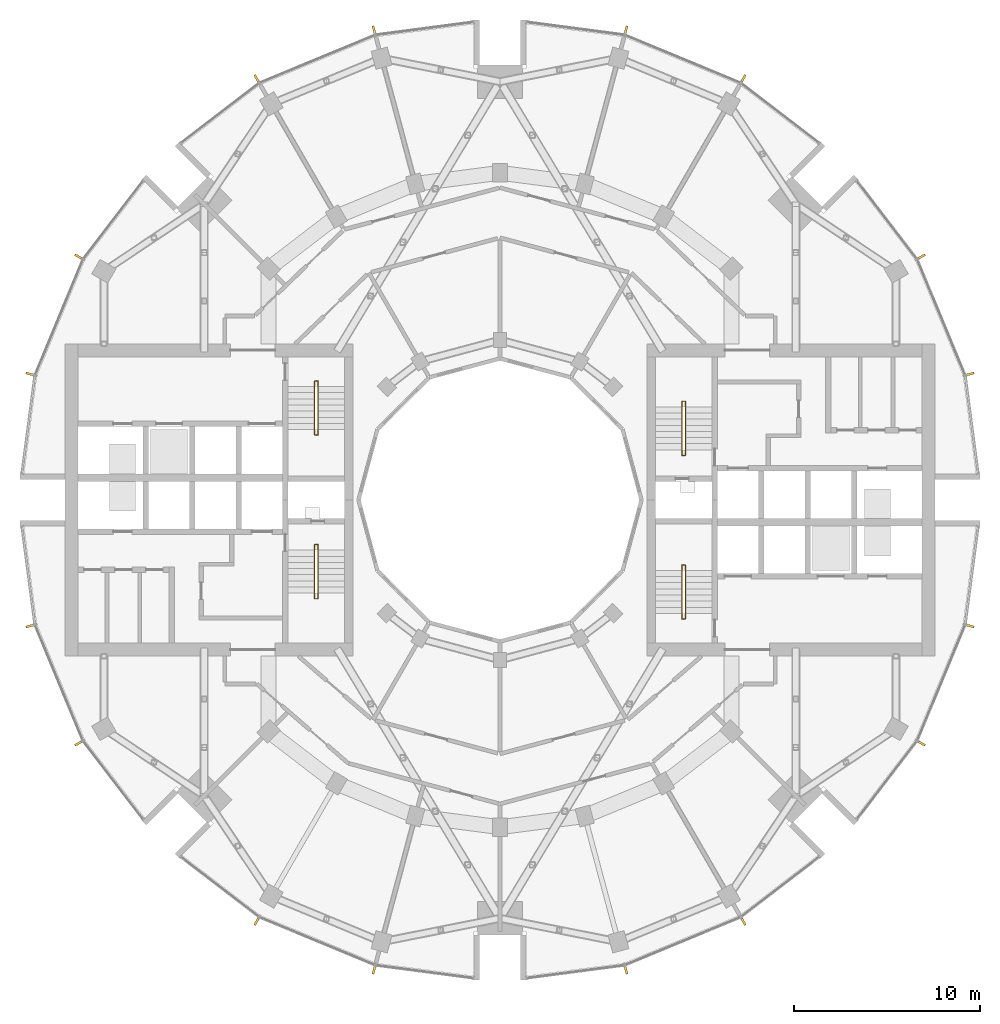
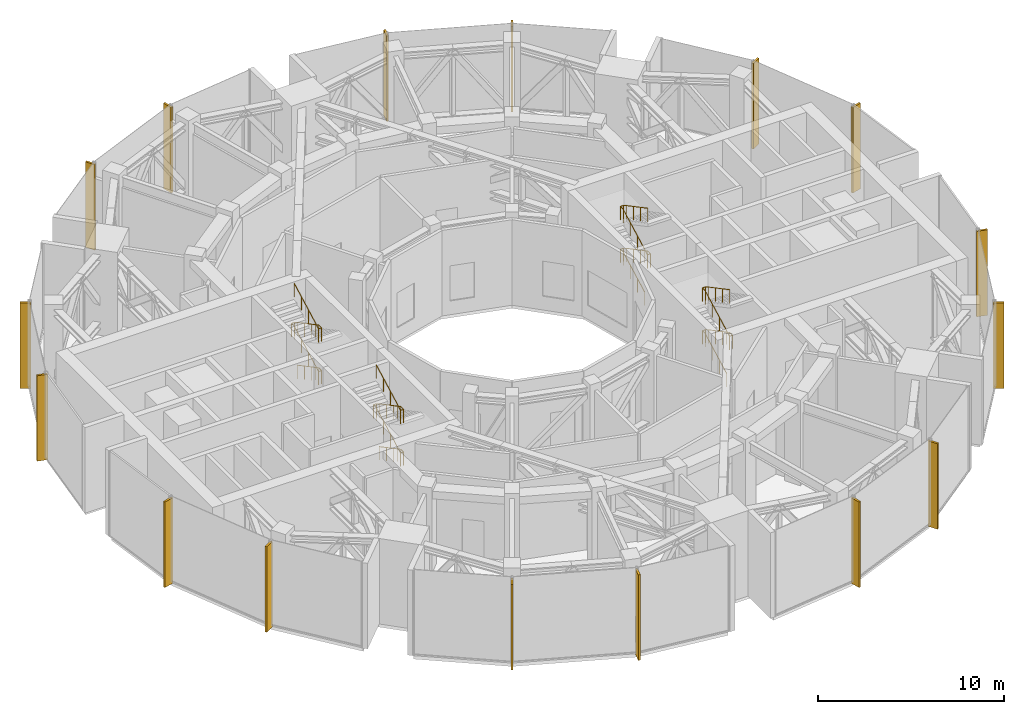
# One storey, part 17 of 18: 16 shading devices, 4 railings.
"""IFC4 building model written with IfcOpenShell, lengths in metres."""

from ifc_helpers import new_model, si_unit, direction, frame, origin, origin_2d, place, context, subcontext, project, spatial, rectangle, circle, extrude, material, material_profile, profile_set, type_object, element, save


model = new_model("IFC4")

# Units and contexts
model_context = context("Model", 3, precision=1e-05, world=origin(), true_north=direction((0.0, 1.0)))
body_context = subcontext(model_context, "Body", "Model", "MODEL_VIEW")
ifc_project = project(units=[si_unit("LENGTHUNIT", "METRE"), si_unit("AREAUNIT", "SQUARE_METRE"), si_unit("VOLUMEUNIT", "CUBIC_METRE"), si_unit("PLANEANGLEUNIT", "RADIAN"), si_unit("MASSUNIT", "GRAM", prefix="KILO")], contexts=[model_context])

# Site, building, storey
site_placement = place(None, origin())
site = spatial("IfcSite", under=ifc_project, at=site_placement, CompositionType="ELEMENT")
building_placement = place(site_placement, origin())
building = spatial("IfcBuilding", under=site, at=building_placement, Name="Torre Brocal", CompositionType="ELEMENT")
storey_placement = place(building_placement, frame((0.0, 0.0, 109.0)))
storey = spatial("IfcBuildingStorey", under=building, at=storey_placement, Name="L25", CompositionType="ELEMENT", Elevation=109.0)

# Shading devices
ifc_material_1 = material(Name="Aluminium, black anodised", Category="aluminium")
ifc_material_profile = material_profile(ifc_material_1, rectangle(XDim=0.1201171875, YDim=0.60009765625, at=origin_2d()), Name="FIN 120X600 5600 HIGH")
ifc_profile_set = profile_set([ifc_material_profile], Name="Aluminium, black anodised")
shading_device_type = type_object("IfcShadingDeviceType", Name="FIN 120X600 5600 HIGH", PredefinedType="USERDEFINED", material=ifc_profile_set)
for number, where, z_axis, x_axis, name in (
    (1, (105.208984375, 81.754638671875, -0.14990234375), (0.0, 0.0, 1.0), (-0.258819045103, 0.965925826289, 0.0), "FIN"),
    (2, (102.601806640625, 88.049072265625, -0.14990234375), (0.0, 0.0, 1.0), (-0.5, 0.866025403784, 0.0), "FIN"),
    (3, (93.049072265625, 97.601806640625, -0.14990234375), (0.0, 0.0, 1.0), (-0.866025403784, 0.5, 0.0), "FIN"),
    (4, (86.754638671875, 100.208984375, -0.14990234375), (0.0, 0.0, 1.0), (-0.965925826289, 0.258819045103, 0.0), "FIN"),
    (5, (73.245361328125, 100.208984375, -0.14990234375), (0.0, 0.0, 1.0), (-0.965925826289, -0.258819045103, 0.0), "FIN"),
    (6, (66.950927734375, 97.601806640625, -0.14990234375), (0.0, 0.0, 1.0), (-0.866025403784, -0.5, 0.0), "FIN"),
    (7, (57.398193359375, 88.049072265625, -0.14990234375), (0.0, 0.0, 1.0), (-0.5, -0.866025403784, 0.0), "FIN"),
    (8, (54.791015625, 81.754638671875, -0.14990234375), (0.0, 0.0, 1.0), (-0.258819045103, -0.965925826289, 0.0), "FIN"),
    (9, (54.791015625, 68.245361328125, -0.14990234375), (0.0, 0.0, 1.0), (0.258819045103, -0.965925826289, 0.0), "FIN"),
    (10, (57.398193359375, 61.950927734375, -0.14990234375), (0.0, 0.0, 1.0), (0.5, -0.866025403784, 0.0), "FIN"),
    (11, (66.950927734375, 52.398193359375, -0.14990234375), (0.0, 0.0, 1.0), (0.866025403784, -0.5, 0.0), "FIN"),
    (12, (73.245361328125, 49.791015625, -0.14990234375), (0.0, 0.0, 1.0), (0.965925826289, -0.258819045103, 0.0), "FIN"),
    (13, (86.754638671875, 49.791015625, -0.14990234375), (0.0, 0.0, 1.0), (0.965925826289, 0.258819045103, 0.0), "FIN"),
    (14, (93.049072265625, 52.398193359375, -0.14990234375), (0.0, 0.0, 1.0), (0.866025403784, 0.5, 0.0), "FIN"),
    (15, (102.601806640625, 61.950927734375, -0.14990234375), (0.0, 0.0, 1.0), (0.5, 0.866025403784, 0.0), "FIN"),
    (16, (105.208984375, 68.245361328125, -0.14990234375), (0.0, 0.0, 1.0), (0.258819045103, 0.965925826289, 0.0), "FIN"),
):
    element("IfcShadingDevice", number, at=place(storey_placement, frame(where, z_axis=z_axis, x_axis=x_axis)), inside=storey, type_object=shading_device_type, Name=name, ObjectType="FIN", PredefinedType="USERDEFINED", context=body_context, shape_type="SweptSolid", body=[
        extrude(rectangle(XDim=0.1201171875, YDim=0.60009765625, at=origin_2d()), origin(), (0.0, 0.0, 1.0), 5.599853515625),
    ])

# Railings
ifc_material_2 = material(Name="Stainless steel AISI 316", Category="steel")
railing_type = type_object("IfcRailingType", Name="STAIR HANDRAIL", PredefinedType="HANDRAIL", material=ifc_material_2)
railing_1_placement = place(storey_placement, frame((89.780029296875, 77.699951171875, 0.175048828125)))
element("IfcRailing", 17, at=railing_1_placement, inside=storey, type_object=railing_type, Name="HANDRAIL ST1", PredefinedType="HANDRAIL", context=body_context, shape_type="SweptSolid", body=[
    extrude(circle(Radius=0.02392578125, at=origin_2d()), frame((0.0, 0.0, 0.8759765625), z_axis=(0.0, 0.88349020758, 0.46844962708), x_axis=(-1.0, 0.0, 0.0)), (0.0, 0.0, 1.0), 2.61474609375),
    extrude(circle(Radius=0.02392578125, at=origin_2d()), frame((0.0, 2.31005859375, 2.1005859375), z_axis=(0.0, 1.0, 0.0), x_axis=(-1.0, 0.0, 0.0)), (0.0, 0.0, 1.0), 0.300048828125),
    extrude(circle(Radius=0.02392578125, at=origin_2d()), frame((0.0, 2.610107421875, 2.1005859375), z_axis=(1.0, 0.0, 0.0), x_axis=(0.0, 1.0, 0.0)), (0.0, 0.0, 1.0), 0.18994140625),
    extrude(circle(Radius=0.02392578125, at=origin_2d()), frame((0.18994140625, 2.610107421875, 2.1005859375), z_axis=(0.0, -0.863753409277, 0.503914722906), x_axis=(1.0, 0.0, 0.0)), (0.0, 0.0, 1.0), 0.347412109375),
    extrude(circle(Radius=0.02392578125, at=origin_2d()), frame((0.18994140625, 2.31005859375, 2.27587890625), z_axis=(0.0, -0.883451562143, 0.468522504633), x_axis=(1.0, 0.0, 0.0)), (0.0, 0.0, 1.0), 2.61474609375),
    extrude(circle(Radius=0.02392578125, at=origin_2d()), frame((0.18994140625, 0.0, 3.5009765625), z_axis=(0.0, -1.0, 0.0), x_axis=(1.0, 0.0, 0.0)), (0.0, 0.0, 1.0), 0.300048828125),
    extrude(circle(Radius=0.02392578125, at=origin_2d()), frame((0.18994140625, -0.300048828125, 3.5009765625), z_axis=(-1.0, 0.0, 0.0), x_axis=(0.0, -1.0, 0.0)), (0.0, 0.0, 1.0), 0.18994140625),
    extrude(circle(Radius=0.02392578125, at=origin_2d()), frame((0.0, -0.300048828125, 3.5009765625), z_axis=(0.0, 0.863753409277, 0.503914722906), x_axis=(-1.0, 0.0, 0.0)), (0.0, 0.0, 1.0), 0.347412109375),
    extrude(circle(Radius=0.02392578125, at=origin_2d()), frame((0.0, 0.0, 3.67578125), z_axis=(0.0, 0.88349020758, 0.46844962708), x_axis=(-1.0, 0.0, 0.0)), (0.0, 0.0, 1.0), 2.61474609375),
    extrude(circle(Radius=0.02392578125, at=origin_2d()), frame((0.0, 2.31005859375, 4.90087890625), z_axis=(0.0, 1.0, 0.0), x_axis=(-1.0, 0.0, 0.0)), (0.0, 0.0, 1.0), 0.300048828125),
    extrude(circle(Radius=0.02392578125, at=origin_2d()), frame((0.0, 2.610107421875, 4.90087890625), z_axis=(1.0, 0.0, 0.0), x_axis=(0.0, 1.0, 0.0)), (0.0, 0.0, 1.0), 0.18994140625),
    extrude(circle(Radius=0.02392578125, at=origin_2d()), frame((0.18994140625, 2.610107421875, 4.90087890625), z_axis=(0.0, -0.863753409277, 0.503914722906), x_axis=(1.0, 0.0, 0.0)), (0.0, 0.0, 1.0), 0.347412109375),
    extrude(circle(Radius=0.02392578125, at=origin_2d()), frame((0.18994140625, 2.31005859375, 5.07568359375), z_axis=(0.0, -0.883451562143, 0.468522504633), x_axis=(1.0, 0.0, 0.0)), (0.0, 0.0, 1.0), 2.61474609375),
    extrude(circle(Radius=0.02099609375, at=origin_2d()), origin(), (0.0, 0.0, 1.0), 0.851806640625),
    extrude(circle(Radius=0.02099609375, at=origin_2d()), frame((0.0, 0.77001953125, 0.408203125)), (0.0, 0.0, 1.0), 0.851806640625),
    extrude(circle(Radius=0.02099609375, at=origin_2d()), frame((0.0, 1.5400390625, 0.816650390625)), (0.0, 0.0, 1.0), 0.851806640625),
    extrude(circle(Radius=0.02099609375, at=origin_2d()), frame((0.0, 2.31005859375, 1.224853515625)), (0.0, 0.0, 1.0), 0.851806640625),
    extrude(circle(Radius=0.02099609375, at=origin_2d()), frame((0.0, 2.610107421875, 1.224853515625)), (0.0, 0.0, 1.0), 0.851806640625),
    extrude(circle(Radius=0.02099609375, at=origin_2d()), frame((0.18994140625, 2.610107421875, 1.224853515625)), (0.0, 0.0, 1.0), 0.851806640625),
    extrude(circle(Radius=0.02099609375, at=origin_2d()), frame((0.18994140625, 2.31005859375, 1.39990234375)), (0.0, 0.0, 1.0), 0.851806640625),
    extrude(circle(Radius=0.02099609375, at=origin_2d()), frame((0.18994140625, 1.5400390625, 1.808349609375)), (0.0, 0.0, 1.0), 0.851806640625),
    extrude(circle(Radius=0.02099609375, at=origin_2d()), frame((0.18994140625, 0.77001953125, 2.216552734375)), (0.0, 0.0, 1.0), 0.851806640625),
    extrude(circle(Radius=0.02099609375, at=origin_2d()), frame((0.18994140625, 0.0, 2.625)), (0.0, 0.0, 1.0), 0.851806640625),
    extrude(circle(Radius=0.02099609375, at=origin_2d()), frame((0.18994140625, -0.300048828125, 2.625)), (0.0, 0.0, 1.0), 0.851806640625),
    extrude(circle(Radius=0.02099609375, at=origin_2d()), frame((0.0, -0.300048828125, 2.625)), (0.0, 0.0, 1.0), 0.851806640625),
    extrude(circle(Radius=0.02099609375, at=origin_2d()), frame((0.0, 0.0, 2.800048828125)), (0.0, 0.0, 1.0), 0.851806640625),
    extrude(circle(Radius=0.02099609375, at=origin_2d()), frame((0.0, 0.77001953125, 3.208251953125)), (0.0, 0.0, 1.0), 0.851806640625),
    extrude(circle(Radius=0.02099609375, at=origin_2d()), frame((0.0, 1.5400390625, 3.61669921875)), (0.0, 0.0, 1.0), 0.851806640625),
    extrude(circle(Radius=0.02099609375, at=origin_2d()), frame((0.0, 2.31005859375, 4.02490234375)), (0.0, 0.0, 1.0), 0.851806640625),
    extrude(circle(Radius=0.02099609375, at=origin_2d()), frame((0.0, 2.610107421875, 4.02490234375)), (0.0, 0.0, 1.0), 0.851806640625),
    extrude(circle(Radius=0.02099609375, at=origin_2d()), frame((0.18994140625, 2.610107421875, 4.02490234375)), (0.0, 0.0, 1.0), 0.851806640625),
    extrude(circle(Radius=0.02099609375, at=origin_2d()), frame((0.18994140625, 2.31005859375, 4.199951171875)), (0.0, 0.0, 1.0), 0.851806640625),
    extrude(circle(Radius=0.02099609375, at=origin_2d()), frame((0.18994140625, 1.5400390625, 4.6083984375)), (0.0, 0.0, 1.0), 0.851806640625),
    extrude(circle(Radius=0.02099609375, at=origin_2d()), frame((0.18994140625, 0.77001953125, 5.0166015625)), (0.0, 0.0, 1.0), 0.851806640625),
    extrude(circle(Radius=0.02099609375, at=origin_2d()), frame((0.18994140625, 0.0, 5.425048828125)), (0.0, 0.0, 1.0), 0.851806640625),
])
railing_2_placement = place(storey_placement, frame((89.780029296875, 68.89990234375, 0.175048828125)))
element("IfcRailing", 18, at=railing_2_placement, inside=storey, type_object=railing_type, Name="HANDRAIL ST2", PredefinedType="HANDRAIL", context=body_context, shape_type="SweptSolid", body=[
    extrude(circle(Radius=0.02392578125, at=origin_2d()), frame((0.0, 0.0, 0.8759765625), z_axis=(0.0, 0.88349020758, 0.46844962708), x_axis=(-1.0, 0.0, 0.0)), (0.0, 0.0, 1.0), 2.61474609375),
    extrude(circle(Radius=0.02392578125, at=origin_2d()), frame((0.0, 2.31005859375, 2.1005859375), z_axis=(0.0, 1.0, 0.0), x_axis=(-1.0, 0.0, 0.0)), (0.0, 0.0, 1.0), 0.300048828125),
    extrude(circle(Radius=0.02392578125, at=origin_2d()), frame((0.0, 2.610107421875, 2.1005859375), z_axis=(1.0, 0.0, 0.0), x_axis=(0.0, 1.0, 0.0)), (0.0, 0.0, 1.0), 0.18994140625),
    extrude(circle(Radius=0.02392578125, at=origin_2d()), frame((0.18994140625, 2.610107421875, 2.1005859375), z_axis=(0.0, -0.863753409277, 0.503914722906), x_axis=(1.0, 0.0, 0.0)), (0.0, 0.0, 1.0), 0.347412109375),
    extrude(circle(Radius=0.02392578125, at=origin_2d()), frame((0.18994140625, 2.31005859375, 2.27587890625), z_axis=(0.0, -0.883451562143, 0.468522504633), x_axis=(1.0, 0.0, 0.0)), (0.0, 0.0, 1.0), 2.61474609375),
    extrude(circle(Radius=0.02392578125, at=origin_2d()), frame((0.18994140625, 0.0, 3.5009765625), z_axis=(0.0, -1.0, 0.0), x_axis=(1.0, 0.0, 0.0)), (0.0, 0.0, 1.0), 0.2998046875),
    extrude(circle(Radius=0.02392578125, at=origin_2d()), frame((0.18994140625, -0.2998046875, 3.5009765625), z_axis=(-1.0, 0.0, 0.0), x_axis=(0.0, -1.0, 0.0)), (0.0, 0.0, 1.0), 0.18994140625),
    extrude(circle(Radius=0.02392578125, at=origin_2d()), frame((0.0, -0.2998046875, 3.5009765625), z_axis=(0.0, 0.86357478209, 0.504220780748), x_axis=(-1.0, 0.0, 0.0)), (0.0, 0.0, 1.0), 0.34716796875),
    extrude(circle(Radius=0.02392578125, at=origin_2d()), frame((0.0, 0.0, 3.67578125), z_axis=(0.0, 0.88349020758, 0.46844962708), x_axis=(-1.0, 0.0, 0.0)), (0.0, 0.0, 1.0), 2.61474609375),
    extrude(circle(Radius=0.02392578125, at=origin_2d()), frame((0.0, 2.31005859375, 4.90087890625), z_axis=(0.0, 1.0, 0.0), x_axis=(-1.0, 0.0, 0.0)), (0.0, 0.0, 1.0), 0.300048828125),
    extrude(circle(Radius=0.02392578125, at=origin_2d()), frame((0.0, 2.610107421875, 4.90087890625), z_axis=(1.0, 0.0, 0.0), x_axis=(0.0, 1.0, 0.0)), (0.0, 0.0, 1.0), 0.18994140625),
    extrude(circle(Radius=0.02392578125, at=origin_2d()), frame((0.18994140625, 2.610107421875, 4.90087890625), z_axis=(0.0, -0.863753409277, 0.503914722906), x_axis=(1.0, 0.0, 0.0)), (0.0, 0.0, 1.0), 0.347412109375),
    extrude(circle(Radius=0.02392578125, at=origin_2d()), frame((0.18994140625, 2.31005859375, 5.07568359375), z_axis=(0.0, -0.883451562143, 0.468522504633), x_axis=(1.0, 0.0, 0.0)), (0.0, 0.0, 1.0), 2.61474609375),
    extrude(circle(Radius=0.02099609375, at=origin_2d()), origin(), (0.0, 0.0, 1.0), 0.851806640625),
    extrude(circle(Radius=0.02099609375, at=origin_2d()), frame((0.0, 0.77001953125, 0.408203125)), (0.0, 0.0, 1.0), 0.851806640625),
    extrude(circle(Radius=0.02099609375, at=origin_2d()), frame((0.0, 1.5400390625, 0.816650390625)), (0.0, 0.0, 1.0), 0.851806640625),
    extrude(circle(Radius=0.02099609375, at=origin_2d()), frame((0.0, 2.31005859375, 1.224853515625)), (0.0, 0.0, 1.0), 0.851806640625),
    extrude(circle(Radius=0.02099609375, at=origin_2d()), frame((0.0, 2.610107421875, 1.224853515625)), (0.0, 0.0, 1.0), 0.851806640625),
    extrude(circle(Radius=0.02099609375, at=origin_2d()), frame((0.18994140625, 2.610107421875, 1.224853515625)), (0.0, 0.0, 1.0), 0.851806640625),
    extrude(circle(Radius=0.02099609375, at=origin_2d()), frame((0.18994140625, 2.31005859375, 1.39990234375)), (0.0, 0.0, 1.0), 0.851806640625),
    extrude(circle(Radius=0.02099609375, at=origin_2d()), frame((0.18994140625, 1.5400390625, 1.808349609375)), (0.0, 0.0, 1.0), 0.851806640625),
    extrude(circle(Radius=0.02099609375, at=origin_2d()), frame((0.18994140625, 0.77001953125, 2.216552734375)), (0.0, 0.0, 1.0), 0.851806640625),
    extrude(circle(Radius=0.02099609375, at=origin_2d()), frame((0.18994140625, 0.0, 2.625)), (0.0, 0.0, 1.0), 0.851806640625),
    extrude(circle(Radius=0.02099609375, at=origin_2d()), frame((0.18994140625, -0.2998046875, 2.625)), (0.0, 0.0, 1.0), 0.851806640625),
    extrude(circle(Radius=0.02099609375, at=origin_2d()), frame((0.0, -0.2998046875, 2.625)), (0.0, 0.0, 1.0), 0.851806640625),
    extrude(circle(Radius=0.02099609375, at=origin_2d()), frame((0.0, 0.0, 2.800048828125)), (0.0, 0.0, 1.0), 0.851806640625),
    extrude(circle(Radius=0.02099609375, at=origin_2d()), frame((0.0, 0.77001953125, 3.208251953125)), (0.0, 0.0, 1.0), 0.851806640625),
    extrude(circle(Radius=0.02099609375, at=origin_2d()), frame((0.0, 1.5400390625, 3.61669921875)), (0.0, 0.0, 1.0), 0.851806640625),
    extrude(circle(Radius=0.02099609375, at=origin_2d()), frame((0.0, 2.31005859375, 4.02490234375)), (0.0, 0.0, 1.0), 0.851806640625),
    extrude(circle(Radius=0.02099609375, at=origin_2d()), frame((0.0, 2.610107421875, 4.02490234375)), (0.0, 0.0, 1.0), 0.851806640625),
    extrude(circle(Radius=0.02099609375, at=origin_2d()), frame((0.18994140625, 2.610107421875, 4.02490234375)), (0.0, 0.0, 1.0), 0.851806640625),
    extrude(circle(Radius=0.02099609375, at=origin_2d()), frame((0.18994140625, 2.31005859375, 4.199951171875)), (0.0, 0.0, 1.0), 0.851806640625),
    extrude(circle(Radius=0.02099609375, at=origin_2d()), frame((0.18994140625, 1.5400390625, 4.6083984375)), (0.0, 0.0, 1.0), 0.851806640625),
    extrude(circle(Radius=0.02099609375, at=origin_2d()), frame((0.18994140625, 0.77001953125, 5.0166015625)), (0.0, 0.0, 1.0), 0.851806640625),
    extrude(circle(Radius=0.02099609375, at=origin_2d()), frame((0.18994140625, 0.0, 5.425048828125)), (0.0, 0.0, 1.0), 0.851806640625),
])
railing_3_placement = place(storey_placement, frame((70.219970703125, 72.300048828125, 0.175048828125)))
element("IfcRailing", 19, at=railing_3_placement, inside=storey, type_object=railing_type, Name="HANDRAIL ST3", PredefinedType="HANDRAIL", context=body_context, shape_type="SweptSolid", body=[
    extrude(circle(Radius=0.02392578125, at=origin_2d()), frame((0.0, 0.0, 0.8759765625), z_axis=(0.0, -0.88349020758, 0.46844962708), x_axis=(1.0, 0.0, 0.0)), (0.0, 0.0, 1.0), 2.61474609375),
    extrude(circle(Radius=0.02392578125, at=origin_2d()), frame((0.0, -2.31005859375, 2.1005859375), z_axis=(0.0, -1.0, 0.0), x_axis=(1.0, 0.0, 0.0)), (0.0, 0.0, 1.0), 0.300048828125),
    extrude(circle(Radius=0.02392578125, at=origin_2d()), frame((0.0, -2.610107421875, 2.1005859375), z_axis=(-1.0, 0.0, 0.0), x_axis=(0.0, -1.0, 0.0)), (0.0, 0.0, 1.0), 0.18994140625),
    extrude(circle(Radius=0.02392578125, at=origin_2d()), frame((-0.18994140625, -2.610107421875, 2.1005859375), z_axis=(0.0, 0.863753409277, 0.503914722906), x_axis=(-1.0, 0.0, 0.0)), (0.0, 0.0, 1.0), 0.347412109375),
    extrude(circle(Radius=0.02392578125, at=origin_2d()), frame((-0.18994140625, -2.31005859375, 2.27587890625), z_axis=(0.0, 0.883451562143, 0.468522504633), x_axis=(-1.0, 0.0, 0.0)), (0.0, 0.0, 1.0), 2.61474609375),
    extrude(circle(Radius=0.02392578125, at=origin_2d()), frame((-0.18994140625, 0.0, 3.5009765625), z_axis=(0.0, 1.0, 0.0), x_axis=(-1.0, 0.0, 0.0)), (0.0, 0.0, 1.0), 0.300048828125),
    extrude(circle(Radius=0.02392578125, at=origin_2d()), frame((-0.18994140625, 0.300048828125, 3.5009765625), z_axis=(1.0, 0.0, 0.0), x_axis=(0.0, 1.0, 0.0)), (0.0, 0.0, 1.0), 0.18994140625),
    extrude(circle(Radius=0.02392578125, at=origin_2d()), frame((0.0, 0.300048828125, 3.5009765625), z_axis=(0.0, -0.863753409277, 0.503914722906), x_axis=(1.0, 0.0, 0.0)), (0.0, 0.0, 1.0), 0.347412109375),
    extrude(circle(Radius=0.02392578125, at=origin_2d()), frame((0.0, 0.0, 3.67578125), z_axis=(0.0, -0.88349020758, 0.46844962708), x_axis=(1.0, 0.0, 0.0)), (0.0, 0.0, 1.0), 2.61474609375),
    extrude(circle(Radius=0.02392578125, at=origin_2d()), frame((0.0, -2.31005859375, 4.90087890625), z_axis=(0.0, -1.0, 0.0), x_axis=(1.0, 0.0, 0.0)), (0.0, 0.0, 1.0), 0.300048828125),
    extrude(circle(Radius=0.02392578125, at=origin_2d()), frame((0.0, -2.610107421875, 4.90087890625), z_axis=(-1.0, 0.0, 0.0), x_axis=(0.0, -1.0, 0.0)), (0.0, 0.0, 1.0), 0.18994140625),
    extrude(circle(Radius=0.02392578125, at=origin_2d()), frame((-0.18994140625, -2.610107421875, 4.90087890625), z_axis=(0.0, 0.863753409277, 0.503914722906), x_axis=(-1.0, 0.0, 0.0)), (0.0, 0.0, 1.0), 0.347412109375),
    extrude(circle(Radius=0.02392578125, at=origin_2d()), frame((-0.18994140625, -2.31005859375, 5.07568359375), z_axis=(0.0, 0.883451562143, 0.468522504633), x_axis=(-1.0, 0.0, 0.0)), (0.0, 0.0, 1.0), 2.61474609375),
    extrude(circle(Radius=0.02099609375, at=origin_2d()), origin(), (0.0, 0.0, 1.0), 0.851806640625),
    extrude(circle(Radius=0.02099609375, at=origin_2d()), frame((0.0, -0.77001953125, 0.408203125)), (0.0, 0.0, 1.0), 0.851806640625),
    extrude(circle(Radius=0.02099609375, at=origin_2d()), frame((0.0, -1.5400390625, 0.816650390625)), (0.0, 0.0, 1.0), 0.851806640625),
    extrude(circle(Radius=0.02099609375, at=origin_2d()), frame((0.0, -2.31005859375, 1.224853515625)), (0.0, 0.0, 1.0), 0.851806640625),
    extrude(circle(Radius=0.02099609375, at=origin_2d()), frame((0.0, -2.610107421875, 1.224853515625)), (0.0, 0.0, 1.0), 0.851806640625),
    extrude(circle(Radius=0.02099609375, at=origin_2d()), frame((-0.18994140625, -2.610107421875, 1.224853515625)), (0.0, 0.0, 1.0), 0.851806640625),
    extrude(circle(Radius=0.02099609375, at=origin_2d()), frame((-0.18994140625, -2.31005859375, 1.39990234375)), (0.0, 0.0, 1.0), 0.851806640625),
    extrude(circle(Radius=0.02099609375, at=origin_2d()), frame((-0.18994140625, -1.5400390625, 1.808349609375)), (0.0, 0.0, 1.0), 0.851806640625),
    extrude(circle(Radius=0.02099609375, at=origin_2d()), frame((-0.18994140625, -0.77001953125, 2.216552734375)), (0.0, 0.0, 1.0), 0.851806640625),
    extrude(circle(Radius=0.02099609375, at=origin_2d()), frame((-0.18994140625, 0.0, 2.625)), (0.0, 0.0, 1.0), 0.851806640625),
    extrude(circle(Radius=0.02099609375, at=origin_2d()), frame((-0.18994140625, 0.300048828125, 2.625)), (0.0, 0.0, 1.0), 0.851806640625),
    extrude(circle(Radius=0.02099609375, at=origin_2d()), frame((0.0, 0.300048828125, 2.625)), (0.0, 0.0, 1.0), 0.851806640625),
    extrude(circle(Radius=0.02099609375, at=origin_2d()), frame((0.0, 0.0, 2.800048828125)), (0.0, 0.0, 1.0), 0.851806640625),
    extrude(circle(Radius=0.02099609375, at=origin_2d()), frame((0.0, -0.77001953125, 3.208251953125)), (0.0, 0.0, 1.0), 0.851806640625),
    extrude(circle(Radius=0.02099609375, at=origin_2d()), frame((0.0, -1.5400390625, 3.61669921875)), (0.0, 0.0, 1.0), 0.851806640625),
    extrude(circle(Radius=0.02099609375, at=origin_2d()), frame((0.0, -2.31005859375, 4.02490234375)), (0.0, 0.0, 1.0), 0.851806640625),
    extrude(circle(Radius=0.02099609375, at=origin_2d()), frame((0.0, -2.610107421875, 4.02490234375)), (0.0, 0.0, 1.0), 0.851806640625),
    extrude(circle(Radius=0.02099609375, at=origin_2d()), frame((-0.18994140625, -2.610107421875, 4.02490234375)), (0.0, 0.0, 1.0), 0.851806640625),
    extrude(circle(Radius=0.02099609375, at=origin_2d()), frame((-0.18994140625, -2.31005859375, 4.199951171875)), (0.0, 0.0, 1.0), 0.851806640625),
    extrude(circle(Radius=0.02099609375, at=origin_2d()), frame((-0.18994140625, -1.5400390625, 4.6083984375)), (0.0, 0.0, 1.0), 0.851806640625),
    extrude(circle(Radius=0.02099609375, at=origin_2d()), frame((-0.18994140625, -0.77001953125, 5.0166015625)), (0.0, 0.0, 1.0), 0.851806640625),
    extrude(circle(Radius=0.02099609375, at=origin_2d()), frame((-0.18994140625, 0.0, 5.425048828125)), (0.0, 0.0, 1.0), 0.851806640625),
])
railing_4_placement = place(storey_placement, frame((70.219970703125, 81.10009765625, 0.175048828125)))
element("IfcRailing", 20, at=railing_4_placement, inside=storey, type_object=railing_type, Name="HANDRAIL ST4", PredefinedType="HANDRAIL", context=body_context, shape_type="SweptSolid", body=[
    extrude(circle(Radius=0.02392578125, at=origin_2d()), frame((0.0, 0.0, 0.8759765625), z_axis=(0.0, -0.88349020758, 0.46844962708), x_axis=(1.0, 0.0, 0.0)), (0.0, 0.0, 1.0), 2.61474609375),
    extrude(circle(Radius=0.02392578125, at=origin_2d()), frame((0.0, -2.31005859375, 2.1005859375), z_axis=(0.0, -1.0, 0.0), x_axis=(1.0, 0.0, 0.0)), (0.0, 0.0, 1.0), 0.300048828125),
    extrude(circle(Radius=0.02392578125, at=origin_2d()), frame((0.0, -2.610107421875, 2.1005859375), z_axis=(-1.0, 0.0, 0.0), x_axis=(0.0, -1.0, 0.0)), (0.0, 0.0, 1.0), 0.18994140625),
    extrude(circle(Radius=0.02392578125, at=origin_2d()), frame((-0.18994140625, -2.610107421875, 2.1005859375), z_axis=(0.0, 0.863753409277, 0.503914722906), x_axis=(-1.0, 0.0, 0.0)), (0.0, 0.0, 1.0), 0.347412109375),
    extrude(circle(Radius=0.02392578125, at=origin_2d()), frame((-0.18994140625, -2.31005859375, 2.27587890625), z_axis=(0.0, 0.883451562143, 0.468522504633), x_axis=(-1.0, 0.0, 0.0)), (0.0, 0.0, 1.0), 2.61474609375),
    extrude(circle(Radius=0.02392578125, at=origin_2d()), frame((-0.18994140625, 0.0, 3.5009765625), z_axis=(0.0, 1.0, 0.0), x_axis=(-1.0, 0.0, 0.0)), (0.0, 0.0, 1.0), 0.2998046875),
    extrude(circle(Radius=0.02392578125, at=origin_2d()), frame((-0.18994140625, 0.2998046875, 3.5009765625), z_axis=(1.0, 0.0, 0.0), x_axis=(0.0, 1.0, 0.0)), (0.0, 0.0, 1.0), 0.18994140625),
    extrude(circle(Radius=0.02392578125, at=origin_2d()), frame((0.0, 0.2998046875, 3.5009765625), z_axis=(0.0, -0.86357478209, 0.504220780748), x_axis=(1.0, 0.0, 0.0)), (0.0, 0.0, 1.0), 0.34716796875),
    extrude(circle(Radius=0.02392578125, at=origin_2d()), frame((0.0, 0.0, 3.67578125), z_axis=(0.0, -0.88349020758, 0.46844962708), x_axis=(1.0, 0.0, 0.0)), (0.0, 0.0, 1.0), 2.61474609375),
    extrude(circle(Radius=0.02392578125, at=origin_2d()), frame((0.0, -2.31005859375, 4.90087890625), z_axis=(0.0, -1.0, 0.0), x_axis=(1.0, 0.0, 0.0)), (0.0, 0.0, 1.0), 0.300048828125),
    extrude(circle(Radius=0.02392578125, at=origin_2d()), frame((0.0, -2.610107421875, 4.90087890625), z_axis=(-1.0, 0.0, 0.0), x_axis=(0.0, -1.0, 0.0)), (0.0, 0.0, 1.0), 0.18994140625),
    extrude(circle(Radius=0.02392578125, at=origin_2d()), frame((-0.18994140625, -2.610107421875, 4.90087890625), z_axis=(0.0, 0.863753409277, 0.503914722906), x_axis=(-1.0, 0.0, 0.0)), (0.0, 0.0, 1.0), 0.347412109375),
    extrude(circle(Radius=0.02392578125, at=origin_2d()), frame((-0.18994140625, -2.31005859375, 5.07568359375), z_axis=(0.0, 0.883451562143, 0.468522504633), x_axis=(-1.0, 0.0, 0.0)), (0.0, 0.0, 1.0), 2.61474609375),
    extrude(circle(Radius=0.02099609375, at=origin_2d()), origin(), (0.0, 0.0, 1.0), 0.851806640625),
    extrude(circle(Radius=0.02099609375, at=origin_2d()), frame((0.0, -0.77001953125, 0.408203125)), (0.0, 0.0, 1.0), 0.851806640625),
    extrude(circle(Radius=0.02099609375, at=origin_2d()), frame((0.0, -1.5400390625, 0.816650390625)), (0.0, 0.0, 1.0), 0.851806640625),
    extrude(circle(Radius=0.02099609375, at=origin_2d()), frame((0.0, -2.31005859375, 1.224853515625)), (0.0, 0.0, 1.0), 0.851806640625),
    extrude(circle(Radius=0.02099609375, at=origin_2d()), frame((0.0, -2.610107421875, 1.224853515625)), (0.0, 0.0, 1.0), 0.851806640625),
    extrude(circle(Radius=0.02099609375, at=origin_2d()), frame((-0.18994140625, -2.610107421875, 1.224853515625)), (0.0, 0.0, 1.0), 0.851806640625),
    extrude(circle(Radius=0.02099609375, at=origin_2d()), frame((-0.18994140625, -2.31005859375, 1.39990234375)), (0.0, 0.0, 1.0), 0.851806640625),
    extrude(circle(Radius=0.02099609375, at=origin_2d()), frame((-0.18994140625, -1.5400390625, 1.808349609375)), (0.0, 0.0, 1.0), 0.851806640625),
    extrude(circle(Radius=0.02099609375, at=origin_2d()), frame((-0.18994140625, -0.77001953125, 2.216552734375)), (0.0, 0.0, 1.0), 0.851806640625),
    extrude(circle(Radius=0.02099609375, at=origin_2d()), frame((-0.18994140625, 0.0, 2.625)), (0.0, 0.0, 1.0), 0.851806640625),
    extrude(circle(Radius=0.02099609375, at=origin_2d()), frame((-0.18994140625, 0.2998046875, 2.625)), (0.0, 0.0, 1.0), 0.851806640625),
    extrude(circle(Radius=0.02099609375, at=origin_2d()), frame((0.0, 0.2998046875, 2.625)), (0.0, 0.0, 1.0), 0.851806640625),
    extrude(circle(Radius=0.02099609375, at=origin_2d()), frame((0.0, 0.0, 2.800048828125)), (0.0, 0.0, 1.0), 0.851806640625),
    extrude(circle(Radius=0.02099609375, at=origin_2d()), frame((0.0, -0.77001953125, 3.208251953125)), (0.0, 0.0, 1.0), 0.851806640625),
    extrude(circle(Radius=0.02099609375, at=origin_2d()), frame((0.0, -1.5400390625, 3.61669921875)), (0.0, 0.0, 1.0), 0.851806640625),
    extrude(circle(Radius=0.02099609375, at=origin_2d()), frame((0.0, -2.31005859375, 4.02490234375)), (0.0, 0.0, 1.0), 0.851806640625),
    extrude(circle(Radius=0.02099609375, at=origin_2d()), frame((0.0, -2.610107421875, 4.02490234375)), (0.0, 0.0, 1.0), 0.851806640625),
    extrude(circle(Radius=0.02099609375, at=origin_2d()), frame((-0.18994140625, -2.610107421875, 4.02490234375)), (0.0, 0.0, 1.0), 0.851806640625),
    extrude(circle(Radius=0.02099609375, at=origin_2d()), frame((-0.18994140625, -2.31005859375, 4.199951171875)), (0.0, 0.0, 1.0), 0.851806640625),
    extrude(circle(Radius=0.02099609375, at=origin_2d()), frame((-0.18994140625, -1.5400390625, 4.6083984375)), (0.0, 0.0, 1.0), 0.851806640625),
    extrude(circle(Radius=0.02099609375, at=origin_2d()), frame((-0.18994140625, -0.77001953125, 5.0166015625)), (0.0, 0.0, 1.0), 0.851806640625),
    extrude(circle(Radius=0.02099609375, at=origin_2d()), frame((-0.18994140625, 0.0, 5.425048828125)), (0.0, 0.0, 1.0), 0.851806640625),
])

save(model, "model.ifc")
